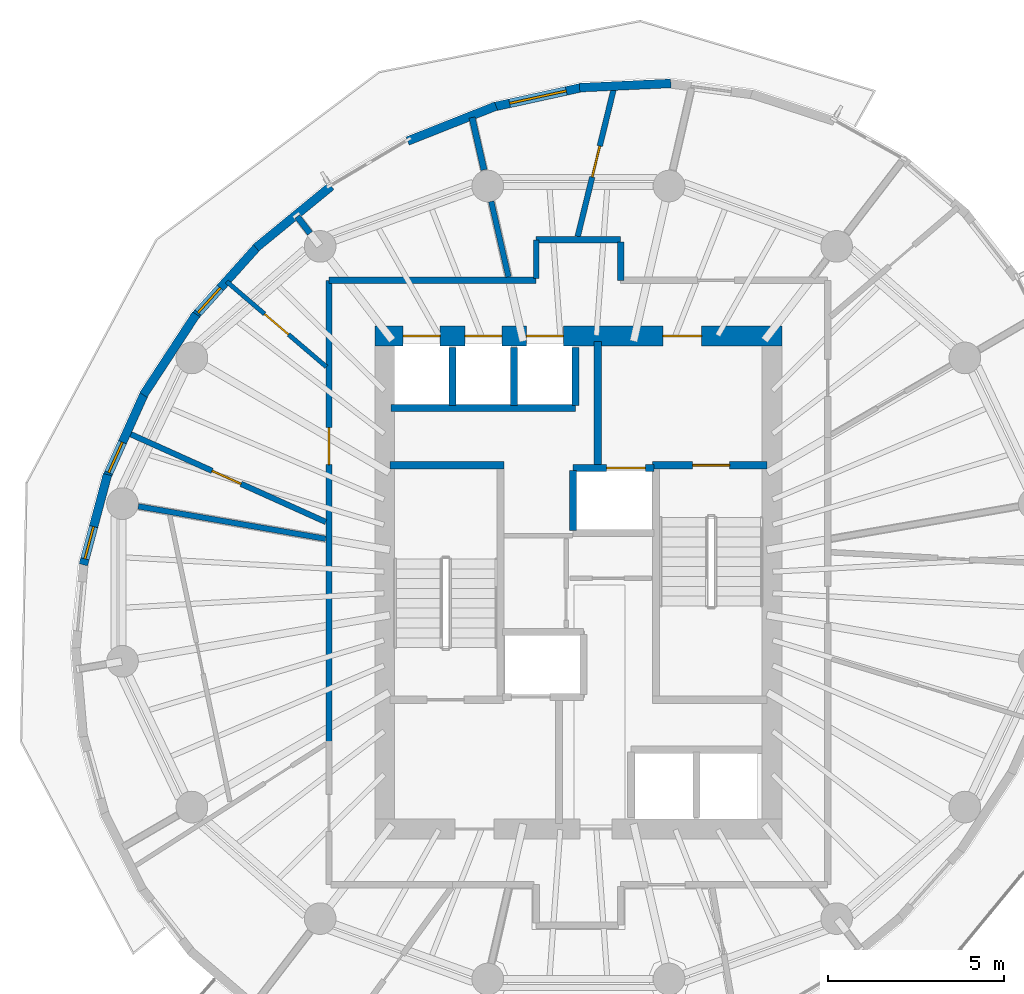
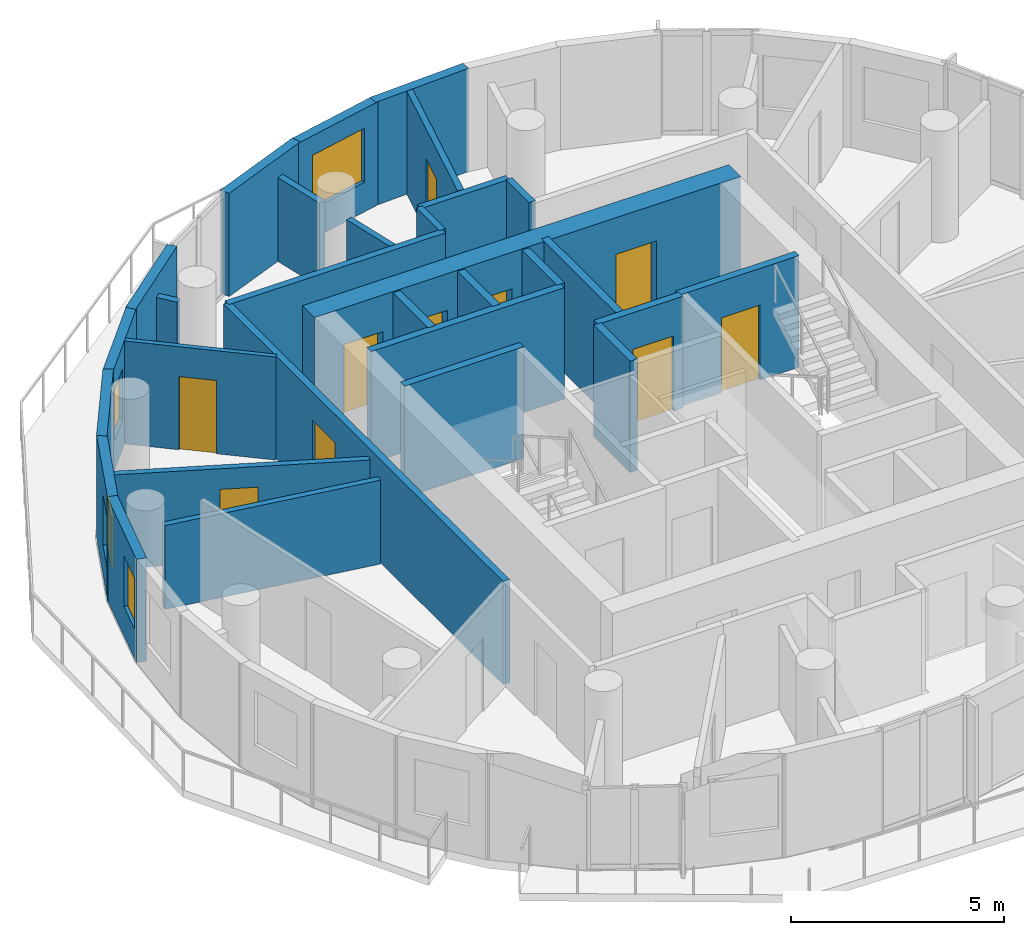
# One storey, part 6 of 10: 30 walls, 10 doors, 4 windows, 14 openings.
"""IFC4 building model written with IfcOpenShell, lengths in metres."""

from ifc_helpers import new_model, si_unit, direction, frame, frame_2d, origin, place, context, subcontext, project, spatial, rectangle, extrude, material, layer, layer_set, type_object, element, fill, save


model = new_model("IFC4")

# Units and contexts
model_context = context("Model", 3, precision=1e-05, world=origin(), true_north=direction((0.0, 1.0)))
body_context = subcontext(model_context, "Body", "Model", "MODEL_VIEW")
ifc_project = project(units=[si_unit("LENGTHUNIT", "METRE"), si_unit("AREAUNIT", "SQUARE_METRE"), si_unit("VOLUMEUNIT", "CUBIC_METRE"), si_unit("PLANEANGLEUNIT", "RADIAN"), si_unit("MASSUNIT", "GRAM", prefix="KILO")], contexts=[model_context])

# Site, building, storey
site_placement = place(None, origin())
site = spatial("IfcSite", under=ifc_project, at=site_placement, CompositionType="ELEMENT")
building_placement = place(site_placement, origin())
building = spatial("IfcBuilding", under=site, at=building_placement, Name="Veldorim Arch Residences", CompositionType="ELEMENT")
storey_placement = place(building_placement, frame((0.0, 0.0, 182.239990234375)))
storey = spatial("IfcBuildingStorey", under=building, at=storey_placement, Name="L54", CompositionType="ELEMENT", Elevation=182.239990234375)

# Wall, opening, door
ifc_material_1 = material(Name="Acoustic Gypsum Board", Category="gypsum")
ifc_layer_1 = layer(ifc_material_1, 0.125, Name="Acoustic Stud Room Partition Wall 125")
ifc_layer_set_1 = layer_set([ifc_layer_1], Name="Acoustic Gypsum Board")
wall_type_1 = type_object("IfcWallType", Name="Acoustic Stud Room Partition Wall 125", PredefinedType="PARTITIONING", material=ifc_layer_set_1)
wall_1_placement = place(storey_placement, frame((22.011962890625, 32.546630859375, 0.0), z_axis=(0.0, 0.0, 1.0), x_axis=(0.759801913408, -0.650154637284, 0.0)))
wall_1 = element("IfcWall", 1, at=wall_1_placement, inside=storey, type_object=wall_type_1, Name="L54 interior wall WL-RES-L54-028", PredefinedType="PARTITIONING", context=body_context, shape_type="SweptSolid", body=[
    extrude(rectangle(XDim=3.727294921875, YDim=0.125, at=frame_2d((1.86376953125, 0.0))), origin(), (0.0, 0.0, 1.0), 2.955078125),
])
opening_1_placement = place(wall_1_placement, frame((1.413818359375, 0.0, 0.0)))
opening_1 = element("IfcOpeningElement", 2, at=opening_1_placement, cuts=wall_1, Name="Opening DR-INT", PredefinedType="OPENING", context=body_context, shape_type="SweptSolid", body=[
    extrude(rectangle(XDim=0.89990234375, YDim=2.10009765625, at=frame_2d((0.449951171875, 1.050048828125))), frame((0.0, 0.072509765625, 0.0), z_axis=(0.0, -1.0, 0.0), x_axis=(1.0, 0.0, 0.0)), (0.0, 0.0, 1.0), 0.14501953125),
])
ifc_material_2 = material(Name="Engineered Timber", Category="wood")
door_type_1 = type_object("IfcDoorType", Name="Apartment Internal Room Timber Door 900x2100", OperationType="SINGLE_SWING_LEFT", PredefinedType="DOOR", material=ifc_material_2)
door_1_placement = place(opening_1_placement, origin())
door_1 = element("IfcDoor", 3, at=door_1_placement, inside=storey, type_object=door_type_1, Name="L54 interior door DR-RES-L54-013", OperationType="SINGLE_SWING_LEFT", OverallHeight=2.10009765625, OverallWidth=0.89990234375, PredefinedType="DOOR", context=body_context, shape_type="SweptSolid", body=[
    extrude(rectangle(XDim=0.89990234375, YDim=2.10009765625, at=frame_2d((0.449951171875, 1.050048828125))), frame((0.0, 0.02490234375, 0.0), z_axis=(0.0, -1.0, 0.0), x_axis=(1.0, 0.0, 0.0)), (0.0, 0.0, 1.0), 0.050048828125),
])
fill(opening_1, door_1)

# Walls
ifc_material_3 = material(Name="Lightweight Masonry Block & Gypsum", Category="masonry")
ifc_layer_2 = layer(ifc_material_3, 0.179931640625, Name="Compartment & Corridor Fire-Rated Party Wall 180")
ifc_layer_set_2 = layer_set([ifc_layer_2], Name="Lightweight Masonry Block & Gypsum")
wall_type_2 = type_object("IfcWallType", Name="Compartment & Corridor Fire-Rated Party Wall 180", PredefinedType="PARTITIONING", material=ifc_layer_set_2)
wall_2_placement = place(storey_placement, frame((29.320068359375, 35.717529296875, 0.0), z_axis=(0.0, 0.0, 1.0), x_axis=(-0.222976920769, 0.974823723965, 0.0)))
element("IfcWall", 4, at=wall_2_placement, inside=storey, type_object=wall_type_2, Name="L54 interior wall WL-PIER-L54-05", PredefinedType="PARTITIONING", context=body_context, shape_type="SweptSolid", body=[
    extrude(rectangle(XDim=1.525146484375, YDim=0.179931640625, at=frame_2d((0.7626953125, 0.0))), origin(), (0.0, 0.0, 1.0), 2.4033203125),
])
wall_3_placement = place(storey_placement, frame((24.380126953125, 33.91796875, 0.0), z_axis=(0.0, 0.0, 1.0), x_axis=(-0.609062571598, 0.793122174623, 0.0)))
element("IfcWall", 5, at=wall_3_placement, inside=storey, type_object=wall_type_2, Name="L54 interior wall WL-PIER-L54-06", PredefinedType="PARTITIONING", context=body_context, shape_type="SweptSolid", body=[
    extrude(rectangle(XDim=0.600830078125, YDim=0.179931640625, at=frame_2d((0.30029296875, 0.0))), origin(), (0.0, 0.0, 1.0), 2.4033203125),
])
wall_4_placement = place(storey_placement, frame((30.800048828125, 33.72998046875, 0.0), z_axis=(0.0, 0.0, 1.0), x_axis=(1.0, 0.0, 0.0)))
element("IfcWall", 6, at=wall_4_placement, inside=storey, type_object=wall_type_2, Name="L54 interior wall WL-RES-L54-009", PredefinedType="PARTITIONING", context=body_context, shape_type="SweptSolid", body=[
    extrude(rectangle(XDim=2.39990234375, YDim=0.179931640625, at=frame_2d((1.199951171875, 0.0))), origin(), (0.0, 0.0, 1.0), 2.955078125),
])
wall_5_placement = place(storey_placement, frame((33.199951171875, 33.669921875, 0.0), z_axis=(0.0, 0.0, 1.0), x_axis=(0.0, -1.0, 0.0)))
element("IfcWall", 7, at=wall_5_placement, inside=storey, type_object=wall_type_2, Name="L54 interior wall WL-RES-L54-010", PredefinedType="PARTITIONING", context=body_context, shape_type="SweptSolid", body=[
    extrude(rectangle(XDim=1.08984375, YDim=0.179931640625, at=frame_2d((0.544921875, 0.0))), origin(), (0.0, 0.0, 1.0), 2.955078125),
])
wall_6_placement = place(storey_placement, frame((24.919921875, 32.580078125, 0.0), z_axis=(0.0, 0.0, 1.0), x_axis=(1.0, 0.0, 0.0)))
element("IfcWall", 8, at=wall_6_placement, inside=storey, type_object=wall_type_2, Name="L54 interior wall WL-RES-L54-011", PredefinedType="PARTITIONING", context=body_context, shape_type="SweptSolid", body=[
    extrude(rectangle(XDim=5.880126953125, YDim=0.179931640625, at=frame_2d((2.93994140625, 0.0))), origin(), (0.0, 0.0, 1.0), 2.955078125),
])

# Wall, opening, door
wall_7_placement = place(storey_placement, frame((24.919921875, 19.44921875, 0.0), z_axis=(0.0, 0.0, 1.0), x_axis=(0.0, 1.0, 0.0)))
wall_7 = element("IfcWall", 9, at=wall_7_placement, inside=storey, type_object=wall_type_2, Name="L54 interior wall WL-RES-L54-013", PredefinedType="PARTITIONING", context=body_context, shape_type="SweptSolid", body=[
    extrude(rectangle(XDim=13.130859375, YDim=0.179931640625, at=frame_2d((6.5654296875, 0.0))), origin(), (0.0, 0.0, 1.0), 2.955078125),
])
opening_2_placement = place(wall_7_placement, frame((7.896728515625, 0.0, 0.0)))
opening_2 = element("IfcOpeningElement", 10, at=opening_2_placement, cuts=wall_7, Name="Opening DR-FLT", PredefinedType="OPENING", context=body_context, shape_type="SweptSolid", body=[
    extrude(rectangle(XDim=1.050048828125, YDim=2.14990234375, at=frame_2d((0.52490234375, 1.074951171875))), frame((0.0, 0.099853515625, 0.0), z_axis=(0.0, -1.0, 0.0), x_axis=(1.0, 0.0, 0.0)), (0.0, 0.0, 1.0), 0.199951171875),
])
ifc_material_4 = material(Name="Fire-Rated Timber", Category="wood")
door_type_2 = type_object("IfcDoorType", Name="Apartment Entrance Solid-Core Fire Door 1050x2150", OperationType="SINGLE_SWING_LEFT", PredefinedType="DOOR", material=ifc_material_4)
door_2_placement = place(opening_2_placement, origin())
door_2 = element("IfcDoor", 11, at=door_2_placement, inside=storey, type_object=door_type_2, Name="L54 interior door DR-RES-L54-011", OperationType="SINGLE_SWING_LEFT", OverallHeight=2.14990234375, OverallWidth=1.050048828125, PredefinedType="DOOR", context=body_context, shape_type="SweptSolid", body=[
    extrude(rectangle(XDim=1.050048828125, YDim=2.14990234375, at=frame_2d((0.52490234375, 1.074951171875))), frame((0.0, 0.02490234375, 0.0), z_axis=(0.0, -1.0, 0.0), x_axis=(1.0, 0.0, 0.0)), (0.0, 0.0, 1.0), 0.050048828125),
])
fill(opening_2, door_2)

# Wall
ifc_material_5 = material(Name="Concrete C50/60", Category="concrete")
ifc_layer_3 = layer(ifc_material_5, 0.199951171875, Name="Core Stair & Lift Shaft Enclosure Wall 200")
ifc_layer_set_3 = layer_set([ifc_layer_3], Name="Concrete C50/60")
wall_type_3 = type_object("IfcWallType", Name="Core Stair & Lift Shaft Enclosure Wall 200", PredefinedType="SHEAR", material=ifc_layer_set_3)
wall_8_placement = place(storey_placement, frame((26.64990234375, 27.330078125, 0.0), z_axis=(0.0, 0.0, 1.0), x_axis=(1.0, 0.0, 0.0)))
element("IfcWall", 12, at=wall_8_placement, inside=storey, type_object=wall_type_3, Name="L54 shaft wall WL-SHF-L54-ST1-N", PredefinedType="SHEAR", context=body_context, shape_type="SweptSolid", body=[
    extrude(rectangle(XDim=3.239990234375, YDim=0.199951171875, at=frame_2d((1.6201171875, 0.0))), origin(), (0.0, 0.0, 1.0), 3.199951171875),
])

# Wall, opening, door
wall_9_placement = place(storey_placement, frame((34.110107421875, 27.330078125, 0.0), z_axis=(0.0, 0.0, 1.0), x_axis=(1.0, 0.0, 0.0)))
wall_9 = element("IfcWall", 13, at=wall_9_placement, inside=storey, type_object=wall_type_3, Name="L54 shaft wall WL-SHF-L54-ST2-N", PredefinedType="SHEAR", context=body_context, shape_type="SweptSolid", body=[
    extrude(rectangle(XDim=3.239990234375, YDim=0.199951171875, at=frame_2d((1.6201171875, 0.0))), origin(), (0.0, 0.0, 1.0), 3.199951171875),
])
opening_3_placement = place(wall_9_placement, frame((1.135009765625, 0.0, 0.0)))
opening_3 = element("IfcOpeningElement", 14, at=opening_3_placement, cuts=wall_9, Name="Opening DR-ST", PredefinedType="OPENING", context=body_context, shape_type="SweptSolid", body=[
    extrude(rectangle(XDim=1.050048828125, YDim=2.14990234375, at=frame_2d((0.52490234375, 1.074951171875))), frame((0.0, 0.10986328125, 0.0), z_axis=(0.0, -1.0, 0.0), x_axis=(1.0, 0.0, 0.0)), (0.0, 0.0, 1.0), 0.219970703125),
])
ifc_material_6 = material(Name="Fire-Rated Steel", Category="steel")
door_type_3 = type_object("IfcDoorType", Name="Exit Staircase Self-Closing Fire Door 1050x2150", OperationType="SINGLE_SWING_LEFT", PredefinedType="DOOR", material=ifc_material_6)
door_3_placement = place(opening_3_placement, origin())
door_3 = element("IfcDoor", 15, at=door_3_placement, inside=storey, type_object=door_type_3, Name="L54 interior door DR-L54-ST2", OperationType="SINGLE_SWING_RIGHT", OverallHeight=2.14990234375, OverallWidth=1.050048828125, PredefinedType="DOOR", context=body_context, shape_type="SweptSolid", body=[
    extrude(rectangle(XDim=1.050048828125, YDim=2.14990234375, at=frame_2d((0.52490234375, 1.074951171875))), frame((0.0, 0.02490234375, 0.0), z_axis=(0.0, -1.0, 0.0), x_axis=(1.0, 0.0, 0.0)), (0.0, 0.0, 1.0), 0.050048828125),
])
fill(opening_3, door_3)

# Wall
wall_10_placement = place(storey_placement, frame((32.550048828125, 27.35009765625, 0.0), z_axis=(0.0, 0.0, 1.0), x_axis=(0.0, 1.0, 0.0)))
element("IfcWall", 16, at=wall_10_placement, inside=storey, type_object=wall_type_3, Name="L54 shaft wall WL-FFL2-L54-W", PredefinedType="SHEAR", context=body_context, shape_type="SweptSolid", body=[
    extrude(rectangle(XDim=3.5, YDim=0.199951171875, at=frame_2d((1.75, 0.0))), origin(), (0.0, 0.0, 1.0), 3.199951171875),
])

# Wall, opening, door
wall_11_placement = place(storey_placement, frame((31.85009765625, 27.25, 0.0), z_axis=(0.0, 0.0, 1.0), x_axis=(1.0, 0.0, 0.0)))
wall_11 = element("IfcWall", 17, at=wall_11_placement, inside=storey, type_object=wall_type_3, Name="L54 shaft wall WL-FL02-L54-N", PredefinedType="SHEAR", context=body_context, shape_type="SweptSolid", body=[
    extrude(rectangle(XDim=2.2998046875, YDim=0.199951171875, at=frame_2d((1.14990234375, 0.0))), origin(), (0.0, 0.0, 1.0), 3.199951171875),
])
opening_4_placement = place(wall_11_placement, frame((0.949951171875, 0.0, 0.0)))
opening_4 = element("IfcOpeningElement", 18, at=opening_4_placement, cuts=wall_11, Name="Opening LD-FF", PredefinedType="OPENING", context=body_context, shape_type="SweptSolid", body=[
    extrude(rectangle(XDim=1.10009765625, YDim=2.14990234375, at=frame_2d((0.550048828125, 1.074951171875))), frame((0.0, 0.10986328125, 0.0), z_axis=(0.0, -1.0, 0.0), x_axis=(1.0, 0.0, 0.0)), (0.0, 0.0, 1.0), 0.219970703125),
])
ifc_material_7 = material(Name="Stainless Steel", Category="steel")
door_type_4 = type_object("IfcDoorType", Name="Firefighting Lift Bi-Parting Sliding Landing Door 1100x2150", OperationType="DOUBLE_DOOR_SLIDING", PredefinedType="DOOR", material=ifc_material_7)
door_4_placement = place(opening_4_placement, origin())
door_4 = element("IfcDoor", 19, at=door_4_placement, inside=storey, type_object=door_type_4, Name="L54 lift landing door LD-L54-FL02", OperationType="DOUBLE_DOOR_SLIDING", OverallHeight=2.14990234375, OverallWidth=1.10009765625, PredefinedType="DOOR", context=body_context, shape_type="SweptSolid", body=[
    extrude(rectangle(XDim=1.10009765625, YDim=2.14990234375, at=frame_2d((0.550048828125, 1.074951171875))), frame((0.0, 0.02490234375, 0.0), z_axis=(0.0, -1.0, 0.0), x_axis=(1.0, 0.0, 0.0)), (0.0, 0.0, 1.0), 0.050048828125),
])
fill(opening_4, door_4)

# Walls
wall_12_placement = place(storey_placement, frame((31.85009765625, 25.469970703125, 0.0), z_axis=(0.0, 0.0, 1.0), x_axis=(0.0, 1.0, 0.0)))
element("IfcWall", 20, at=wall_12_placement, inside=storey, type_object=wall_type_3, Name="L54 shaft wall WL-FL02-L54-W", PredefinedType="SHEAR", context=body_context, shape_type="SweptSolid", body=[
    extrude(rectangle(XDim=1.7099609375, YDim=0.199951171875, at=frame_2d((0.85498046875, 0.0))), origin(), (0.0, 0.0, 1.0), 3.199951171875),
])
wall_13_placement = place(storey_placement, frame((26.679931640625, 28.949951171875, 0.0), z_axis=(0.0, 0.0, 1.0), x_axis=(1.0, 0.0, 0.0)))
element("IfcWall", 21, at=wall_13_placement, inside=storey, type_object=wall_type_3, Name="L54 shaft wall WL-B3-L54-S", PredefinedType="SHEAR", context=body_context, shape_type="SweptSolid", body=[
    extrude(rectangle(XDim=5.239990234375, YDim=0.199951171875, at=frame_2d((2.6201171875, 0.0))), origin(), (0.0, 0.0, 1.0), 3.199951171875),
])
for number, where, z_axis, x_axis, name in (
    (22, (31.919921875, 29.02001953125, 0.0), (0.0, 0.0, 1.0), (0.0, 1.0, 0.0), "L54 shaft wall WL-B3-L54-E"),
    (23, (28.425048828125, 29.02001953125, 0.0), (0.0, 0.0, 1.0), (0.0, 1.0, 0.0), "L54 shaft wall WL-B3-L54-D1"),
    (24, (30.175048828125, 29.02001953125, 0.0), (0.0, 0.0, 1.0), (0.0, 1.0, 0.0), "L54 shaft wall WL-B3-L54-D2"),
):
    element("IfcWall", number, at=place(storey_placement, frame(where, z_axis=z_axis, x_axis=x_axis)), inside=storey, type_object=wall_type_3, Name=name, PredefinedType="SHEAR", context=body_context, shape_type="SweptSolid", body=[
        extrude(rectangle(XDim=1.659912109375, YDim=0.199951171875, at=frame_2d((0.830078125, 0.0))), origin(), (0.0, 0.0, 1.0), 3.199951171875),
    ])
ifc_material_8 = material(Name="Precast concrete C40/50", Category="concrete")
ifc_layer_4 = layer(ifc_material_8, 0.25, Name="Tower Terracotta Spandrel & Pier Wall 250")
ifc_layer_set_4 = layer_set([ifc_layer_4], Name="Precast concrete C40/50")
wall_type_4 = type_object("IfcWallType", Name="Tower Terracotta Spandrel & Pier Wall 250", PredefinedType="SOLIDWALL", material=ifc_layer_set_4)
wall_14_placement = place(storey_placement, frame((32.03564453125, 38.053466796875, 0.0), z_axis=(0.0, 0.0, 1.0), x_axis=(0.998912652492, 0.046620946915, 0.0)))
element("IfcWall", 25, at=wall_14_placement, inside=storey, type_object=wall_type_4, Name="L54 terracotta facade wall 05", PredefinedType="SOLIDWALL", context=body_context, shape_type="SweptSolid", body=[
    extrude(rectangle(XDim=2.59228515625, YDim=0.25, at=frame_2d((1.296142578125, 0.0))), origin(), (0.0, 0.0, 1.0), 2.9599609375),
])

# Wall, opening, window
wall_15_placement = place(storey_placement, frame((29.555908203125, 37.501220703125, 0.0), z_axis=(0.0, 0.0, 1.0), x_axis=(0.976886196324, 0.213760051067, 0.0)))
wall_15 = element("IfcWall", 26, at=wall_15_placement, inside=storey, type_object=wall_type_4, Name="L54 terracotta facade wall 06", PredefinedType="SOLIDWALL", context=body_context, shape_type="SweptSolid", body=[
    extrude(rectangle(XDim=2.65087890625, YDim=0.25, at=frame_2d((1.325439453125, 0.0))), origin(), (0.0, 0.0, 1.0), 2.9599609375),
])
opening_5_placement = place(wall_15_placement, frame((0.5009765625, 0.0, 0.85009765625)))
opening_5 = element("IfcOpeningElement", 27, at=opening_5_placement, cuts=wall_15, Name="Opening WN-03", PredefinedType="OPENING", context=body_context, shape_type="SweptSolid", body=[
    extrude(rectangle(XDim=1.64990234375, YDim=1.550048828125, at=frame_2d((0.824951171875, 0.77490234375))), frame((0.0, 0.135009765625, 0.0), z_axis=(0.0, -1.0, 0.0), x_axis=(1.0, 0.0, 0.0)), (0.0, 0.0, 1.0), 0.27001953125),
])
ifc_material_9 = material(Name="Laminated Low-E Glass", Category="glass")
window_type_1 = type_object("IfcWindowType", Name="Residential Wide Window 1650x1550", PartitioningType="SINGLE_PANEL", PredefinedType="WINDOW", material=ifc_material_9)
window_1_placement = place(opening_5_placement, origin())
window_1 = element("IfcWindow", 28, at=window_1_placement, inside=storey, type_object=window_type_1, Name="L54 solar-control facade window 06", OverallHeight=1.550048828125, OverallWidth=1.64990234375, PartitioningType="SINGLE_PANEL", PredefinedType="WINDOW", context=body_context, shape_type="SweptSolid", body=[
    extrude(rectangle(XDim=1.64990234375, YDim=1.550048828125, at=frame_2d((0.824951171875, 0.77490234375))), frame((0.0, 0.030029296875, 0.0), z_axis=(0.0, -1.0, 0.0), x_axis=(1.0, 0.0, 0.0)), (0.0, 0.0, 1.0), 0.06005859375),
])
fill(opening_5, window_1)

# Walls
wall_16_placement = place(storey_placement, frame((27.149169921875, 36.5380859375, 0.0), z_axis=(0.0, 0.0, 1.0), x_axis=(0.929693178164, 0.368334894459, 0.0)))
element("IfcWall", 29, at=wall_16_placement, inside=storey, type_object=wall_type_4, Name="L54 terracotta facade wall 07", PredefinedType="SOLIDWALL", context=body_context, shape_type="SweptSolid", body=[
    extrude(rectangle(XDim=2.70166015625, YDim=0.25, at=frame_2d((1.350830078125, 0.0))), origin(), (0.0, 0.0, 1.0), 2.9599609375),
])
wall_17_placement = place(storey_placement, frame((22.84521484375, 33.5078125, 0.0), z_axis=(0.0, 0.0, 1.0), x_axis=(0.773491700486, 0.633806428872, 0.0)))
element("IfcWall", 30, at=wall_17_placement, inside=storey, type_object=wall_type_4, Name="L54 terracotta facade wall 09", PredefinedType="SOLIDWALL", context=body_context, shape_type="SweptSolid", body=[
    extrude(rectangle(XDim=2.758056640625, YDim=0.25, at=frame_2d((1.37890625, 0.0))), origin(), (0.0, 0.0, 1.0), 2.9599609375),
])

# Wall, opening, window
wall_18_placement = place(storey_placement, frame((21.079345703125, 31.532470703125, 0.0), z_axis=(0.0, 0.0, 1.0), x_axis=(0.668764193685, 0.743474581438, 0.0)))
wall_18 = element("IfcWall", 31, at=wall_18_placement, inside=storey, type_object=wall_type_4, Name="L54 terracotta facade wall 10", PredefinedType="SOLIDWALL", context=body_context, shape_type="SweptSolid", body=[
    extrude(rectangle(XDim=2.758056640625, YDim=0.25, at=frame_2d((1.37890625, 0.0))), origin(), (0.0, 0.0, 1.0), 2.9599609375),
])
opening_6_placement = place(wall_18_placement, frame((0.175048828125, 0.0, 0.85009765625)))
opening_6 = element("IfcOpeningElement", 32, at=opening_6_placement, cuts=wall_18, Name="Opening WN-05", PredefinedType="OPENING", context=body_context, shape_type="SweptSolid", body=[
    extrude(rectangle(XDim=0.949951171875, YDim=1.449951171875, at=frame_2d((0.47509765625, 0.72509765625))), frame((0.0, 0.135009765625, 0.0), z_axis=(0.0, -1.0, 0.0), x_axis=(1.0, 0.0, 0.0)), (0.0, 0.0, 1.0), 0.27001953125),
])
ifc_material_10 = material(Name="Laminated Low-E Glass", Category="glass")
window_type_2 = type_object("IfcWindowType", Name="Residential Compact Casement Window 950x1450", PartitioningType="SINGLE_PANEL", PredefinedType="WINDOW", material=ifc_material_10)
window_2_placement = place(opening_6_placement, origin())
window_2 = element("IfcWindow", 33, at=window_2_placement, inside=storey, type_object=window_type_2, Name="L54 solar-control facade window 10", OverallHeight=1.449951171875, OverallWidth=0.949951171875, PartitioningType="SINGLE_PANEL", PredefinedType="WINDOW", context=body_context, shape_type="SweptSolid", body=[
    extrude(rectangle(XDim=0.949951171875, YDim=1.449951171875, at=frame_2d((0.47509765625, 0.72509765625))), frame((0.0, 0.030029296875, 0.0), z_axis=(0.0, -1.0, 0.0), x_axis=(1.0, 0.0, 0.0)), (0.0, 0.0, 1.0), 0.06005859375),
])
fill(opening_6, window_2)

# Wall
wall_19_placement = place(storey_placement, frame((19.64599609375, 29.327392578125, 0.0), z_axis=(0.0, 0.0, 1.0), x_axis=(0.547664848596, 0.83669780304, 0.0)))
element("IfcWall", 34, at=wall_19_placement, inside=storey, type_object=wall_type_4, Name="L54 terracotta facade wall 11", PredefinedType="SOLIDWALL", context=body_context, shape_type="SweptSolid", body=[
    extrude(rectangle(XDim=2.738525390625, YDim=0.25, at=frame_2d((1.369140625, 0.0))), origin(), (0.0, 0.0, 1.0), 2.9599609375),
])

# Wall, opening, window
wall_20_placement = place(storey_placement, frame((18.589111328125, 26.9599609375, 0.0), z_axis=(0.0, 0.0, 1.0), x_axis=(0.410736648959, 0.911754026699, 0.0)))
wall_20 = element("IfcWall", 35, at=wall_20_placement, inside=storey, type_object=wall_type_4, Name="L54 terracotta facade wall 12", PredefinedType="SOLIDWALL", context=body_context, shape_type="SweptSolid", body=[
    extrude(rectangle(XDim=2.701416015625, YDim=0.25, at=frame_2d((1.3505859375, 0.0))), origin(), (0.0, 0.0, 1.0), 2.9599609375),
])
opening_7_placement = place(wall_20_placement, frame((0.175048828125, 0.0, 0.85009765625)))
opening_7 = element("IfcOpeningElement", 36, at=opening_7_placement, cuts=wall_20, Name="Opening WN-05", PredefinedType="OPENING", context=body_context, shape_type="SweptSolid", body=[
    extrude(rectangle(XDim=0.949951171875, YDim=1.449951171875, at=frame_2d((0.47509765625, 0.72509765625))), frame((0.0, 0.135009765625, 0.0), z_axis=(0.0, -1.0, 0.0), x_axis=(1.0, 0.0, 0.0)), (0.0, 0.0, 1.0), 0.27001953125),
])
window_3_placement = place(opening_7_placement, origin())
window_3 = element("IfcWindow", 37, at=window_3_placement, inside=storey, type_object=window_type_2, Name="L54 solar-control facade window 12", OverallHeight=1.449951171875, OverallWidth=0.949951171875, PartitioningType="SINGLE_PANEL", PredefinedType="WINDOW", context=body_context, shape_type="SweptSolid", body=[
    extrude(rectangle(XDim=0.949951171875, YDim=1.449951171875, at=frame_2d((0.47509765625, 0.72509765625))), frame((0.0, 0.030029296875, 0.0), z_axis=(0.0, -1.0, 0.0), x_axis=(1.0, 0.0, 0.0)), (0.0, 0.0, 1.0), 0.06005859375),
])
fill(opening_7, window_3)

wall_21_placement = place(storey_placement, frame((17.940185546875, 24.502685546875, 0.0), z_axis=(0.0, 0.0, 1.0), x_axis=(0.258688517816, 0.965960791518, 0.0)))
wall_21 = element("IfcWall", 38, at=wall_21_placement, inside=storey, type_object=wall_type_4, Name="L54 terracotta facade wall 13", PredefinedType="SOLIDWALL", context=body_context, shape_type="SweptSolid", body=[
    extrude(rectangle(XDim=2.651123046875, YDim=0.25, at=frame_2d((1.32568359375, 0.0))), origin(), (0.0, 0.0, 1.0), 2.9599609375),
])
opening_8_placement = place(wall_21_placement, frame((0.175048828125, 0.0, 0.85009765625)))
opening_8 = element("IfcOpeningElement", 39, at=opening_8_placement, cuts=wall_21, Name="Opening WN-05", PredefinedType="OPENING", context=body_context, shape_type="SweptSolid", body=[
    extrude(rectangle(XDim=0.949951171875, YDim=1.449951171875, at=frame_2d((0.47509765625, 0.72509765625))), frame((0.0, 0.135009765625, 0.0), z_axis=(0.0, -1.0, 0.0), x_axis=(1.0, 0.0, 0.0)), (0.0, 0.0, 1.0), 0.27001953125),
])
window_4_placement = place(opening_8_placement, origin())
window_4 = element("IfcWindow", 40, at=window_4_placement, inside=storey, type_object=window_type_2, Name="L54 solar-control facade window 13", OverallHeight=1.449951171875, OverallWidth=0.949951171875, PartitioningType="SINGLE_PANEL", PredefinedType="WINDOW", context=body_context, shape_type="SweptSolid", body=[
    extrude(rectangle(XDim=0.949951171875, YDim=1.449951171875, at=frame_2d((0.47509765625, 0.72509765625))), frame((0.0, 0.030029296875, 0.0), z_axis=(0.0, -1.0, 0.0), x_axis=(1.0, 0.0, 0.0)), (0.0, 0.0, 1.0), 0.06005859375),
])
fill(opening_8, window_4)

# Wall, openings, doors
ifc_material_11 = material(Name="Concrete C50/60", Category="concrete")
ifc_layer_5 = layer(ifc_material_11, 0.5, Name="Upper Central Core Shear Wall 560")
ifc_layer_set_5 = layer_set([ifc_layer_5], Name="Concrete C50/60")
wall_type_5 = type_object("IfcWallType", Name="Upper Central Core Shear Wall 560", PredefinedType="SHEAR", material=ifc_layer_set_5)
wall_22_placement = place(storey_placement, frame((26.219970703125, 31.0, 0.0), z_axis=(0.0, 0.0, 1.0), x_axis=(1.0, 0.0, 0.0)))
wall_22 = element("IfcWall", 41, at=wall_22_placement, inside=storey, type_object=wall_type_5, Name="L54 central core north shear wall", PredefinedType="SHEAR", context=body_context, shape_type="SweptSolid", body=[
    extrude(rectangle(XDim=11.56005859375, YDim=0.56005859375, at=frame_2d((5.780029296875, 0.0))), origin(), (0.0, 0.0, 1.0), 3.199951171875),
])
opening_9_placement = place(wall_22_placement, frame((8.179931640625, 0.0, 0.0)))
opening_9 = element("IfcOpeningElement", 42, at=opening_9_placement, cuts=wall_22, Name="Opening DR-FFL", PredefinedType="OPENING", context=body_context, shape_type="SweptSolid", body=[
    extrude(rectangle(XDim=1.10009765625, YDim=2.14990234375, at=frame_2d((0.550048828125, 1.074951171875))), frame((0.0, 0.2900390625, 0.0), z_axis=(0.0, -1.0, 0.0), x_axis=(1.0, 0.0, 0.0)), (0.0, 0.0, 1.0), 0.580078125),
])
opening_10_placement = place(wall_22_placement, frame((0.804931640625, 0.0, 0.0)))
opening_10 = element("IfcOpeningElement", 43, at=opening_10_placement, cuts=wall_22, Name="Opening LD-PS", PredefinedType="OPENING", context=body_context, shape_type="SweptSolid", body=[
    extrude(rectangle(XDim=1.050048828125, YDim=2.14990234375, at=frame_2d((0.52490234375, 1.074951171875))), frame((0.0, 0.2900390625, 0.0), z_axis=(0.0, -1.0, 0.0), x_axis=(1.0, 0.0, 0.0)), (0.0, 0.0, 1.0), 0.580078125),
])
opening_11_placement = place(wall_22_placement, frame((2.554931640625, 0.0, 0.0)))
opening_11 = element("IfcOpeningElement", 44, at=opening_11_placement, cuts=wall_22, Name="Opening LD-PS", PredefinedType="OPENING", context=body_context, shape_type="SweptSolid", body=[
    extrude(rectangle(XDim=1.050048828125, YDim=2.14990234375, at=frame_2d((0.52490234375, 1.074951171875))), frame((0.0, 0.2900390625, 0.0), z_axis=(0.0, -1.0, 0.0), x_axis=(1.0, 0.0, 0.0)), (0.0, 0.0, 1.0), 0.580078125),
])
opening_12_placement = place(wall_22_placement, frame((4.304931640625, 0.0, 0.0)))
opening_12 = element("IfcOpeningElement", 45, at=opening_12_placement, cuts=wall_22, Name="Opening LD-PS", PredefinedType="OPENING", context=body_context, shape_type="SweptSolid", body=[
    extrude(rectangle(XDim=1.050048828125, YDim=2.14990234375, at=frame_2d((0.52490234375, 1.074951171875))), frame((0.0, 0.2900390625, 0.0), z_axis=(0.0, -1.0, 0.0), x_axis=(1.0, 0.0, 0.0)), (0.0, 0.0, 1.0), 0.580078125),
])
ifc_material_12 = material(Name="Fire-Rated Steel & Vision Glass", Category="steel")
door_type_5 = type_object("IfcDoorType", Name="Firefighting Lobby Smoke-Stop Fire Door 1100x2150", OperationType="SINGLE_SWING_LEFT", PredefinedType="DOOR", material=ifc_material_12)
door_5_placement = place(opening_9_placement, origin())
door_5 = element("IfcDoor", 46, at=door_5_placement, inside=storey, type_object=door_type_5, Name="L54 interior door DR-L54-FFL2", OperationType="SINGLE_SWING_LEFT", OverallHeight=2.14990234375, OverallWidth=1.10009765625, PredefinedType="DOOR", context=body_context, shape_type="SweptSolid", body=[
    extrude(rectangle(XDim=1.10009765625, YDim=2.14990234375, at=frame_2d((0.550048828125, 1.074951171875))), frame((0.0, 0.02490234375, 0.0), z_axis=(0.0, -1.0, 0.0), x_axis=(1.0, 0.0, 0.0)), (0.0, 0.0, 1.0), 0.050048828125),
])
fill(opening_9, door_5)
ifc_material_13 = material(Name="Stainless Steel", Category="steel")
door_type_6 = type_object("IfcDoorType", Name="Passenger Lift Bi-Parting Sliding Landing Door 1050x2150", OperationType="DOUBLE_DOOR_SLIDING", PredefinedType="DOOR", material=ifc_material_13)
door_6_placement = place(opening_10_placement, origin())
door_6 = element("IfcDoor", 47, at=door_6_placement, inside=storey, type_object=door_type_6, Name="L54 lift landing door LD-L54-PL-08", OperationType="DOUBLE_DOOR_SLIDING", OverallHeight=2.14990234375, OverallWidth=1.050048828125, PredefinedType="DOOR", context=body_context, shape_type="SweptSolid", body=[
    extrude(rectangle(XDim=1.050048828125, YDim=2.14990234375, at=frame_2d((0.52490234375, 1.074951171875))), frame((0.0, 0.02490234375, 0.0), z_axis=(0.0, -1.0, 0.0), x_axis=(1.0, 0.0, 0.0)), (0.0, 0.0, 1.0), 0.050048828125),
])
fill(opening_10, door_6)
door_7_placement = place(opening_11_placement, origin())
door_7 = element("IfcDoor", 48, at=door_7_placement, inside=storey, type_object=door_type_6, Name="L54 lift landing door LD-L54-PL-09", OperationType="DOUBLE_DOOR_SLIDING", OverallHeight=2.14990234375, OverallWidth=1.050048828125, PredefinedType="DOOR", context=body_context, shape_type="SweptSolid", body=[
    extrude(rectangle(XDim=1.050048828125, YDim=2.14990234375, at=frame_2d((0.52490234375, 1.074951171875))), frame((0.0, 0.02490234375, 0.0), z_axis=(0.0, -1.0, 0.0), x_axis=(1.0, 0.0, 0.0)), (0.0, 0.0, 1.0), 0.050048828125),
])
fill(opening_11, door_7)
door_8_placement = place(opening_12_placement, origin())
door_8 = element("IfcDoor", 49, at=door_8_placement, inside=storey, type_object=door_type_6, Name="L54 lift landing door LD-L54-PL-10", OperationType="DOUBLE_DOOR_SLIDING", OverallHeight=2.14990234375, OverallWidth=1.050048828125, PredefinedType="DOOR", context=body_context, shape_type="SweptSolid", body=[
    extrude(rectangle(XDim=1.050048828125, YDim=2.14990234375, at=frame_2d((0.52490234375, 1.074951171875))), frame((0.0, 0.02490234375, 0.0), z_axis=(0.0, -1.0, 0.0), x_axis=(1.0, 0.0, 0.0)), (0.0, 0.0, 1.0), 0.050048828125),
])
fill(opening_12, door_8)

# Wall
ifc_material_14 = material(Name="Moisture-Resistant Gypsum & Stud", Category="gypsum")
ifc_layer_6 = layer(ifc_material_14, 0.159912109375, Name="Wet-Area Moisture-Resistant Plumbing Wall 160")
ifc_layer_set_6 = layer_set([ifc_layer_6], Name="Moisture-Resistant Gypsum & Stud")
wall_type_6 = type_object("IfcWallType", Name="Wet-Area Moisture-Resistant Plumbing Wall 160", PredefinedType="PLUMBINGWALL", material=ifc_layer_set_6)
wall_23_placement = place(storey_placement, frame((30.800048828125, 32.639892578125, 0.0), z_axis=(0.0, 0.0, 1.0), x_axis=(0.0, 1.0, 0.0)))
element("IfcWall", 50, at=wall_23_placement, inside=storey, type_object=wall_type_6, Name="L54 interior wall WL-RES-L54-012", PredefinedType="PLUMBINGWALL", context=body_context, shape_type="SweptSolid", body=[
    extrude(rectangle(XDim=1.090087890625, YDim=0.159912109375, at=frame_2d((0.544921875, 0.0))), origin(), (0.0, 0.0, 1.0), 2.955078125),
])

# Wall, opening, door
wall_24_placement = place(storey_placement, frame((31.981201171875, 33.8271484375, 0.0), z_axis=(0.0, 0.0, 1.0), x_axis=(0.237157525666, 0.971471208024, 0.0)))
wall_24 = element("IfcWall", 51, at=wall_24_placement, inside=storey, type_object=wall_type_6, Name="L54 interior wall WL-RES-L54-025", PredefinedType="PLUMBINGWALL", context=body_context, shape_type="SweptSolid", body=[
    extrude(rectangle(XDim=4.38232421875, YDim=0.159912109375, at=frame_2d((2.191162109375, 0.0))), origin(), (0.0, 0.0, 1.0), 2.955078125),
])
opening_13_placement = place(wall_24_placement, frame((1.7412109375, 0.0, 0.0)))
opening_13 = element("IfcOpeningElement", 52, at=opening_13_placement, cuts=wall_24, Name="Opening DR-WC", PredefinedType="OPENING", context=body_context, shape_type="SweptSolid", body=[
    extrude(rectangle(XDim=0.89990234375, YDim=2.10009765625, at=frame_2d((0.449951171875, 1.050048828125))), frame((0.0, 0.08984375, 0.0), z_axis=(0.0, -1.0, 0.0), x_axis=(1.0, 0.0, 0.0)), (0.0, 0.0, 1.0), 0.179931640625),
])
ifc_material_15 = material(Name="Laminate Timber", Category="wood")
door_type_7 = type_object("IfcDoorType", Name="Bathroom & Accessible WC Moisture-Sealed Door 900x2100", OperationType="SINGLE_SWING_LEFT", PredefinedType="DOOR", material=ifc_material_15)
door_9_placement = place(opening_13_placement, origin())
door_9 = element("IfcDoor", 53, at=door_9_placement, inside=storey, type_object=door_type_7, Name="L54 interior door DR-RES-L54-010", OperationType="SINGLE_SWING_RIGHT", OverallHeight=2.10009765625, OverallWidth=0.89990234375, PredefinedType="DOOR", context=body_context, shape_type="SweptSolid", body=[
    extrude(rectangle(XDim=0.89990234375, YDim=2.10009765625, at=frame_2d((0.449951171875, 1.050048828125))), frame((0.0, 0.02490234375, 0.0), z_axis=(0.0, -1.0, 0.0), x_axis=(1.0, 0.0, 0.0)), (0.0, 0.0, 1.0), 0.050048828125),
])
fill(opening_13, door_9)

# Wall
wall_25_placement = place(storey_placement, frame((30.015380859375, 32.677490234375, 0.0), z_axis=(0.0, 0.0, 1.0), x_axis=(-0.222969522248, 0.974825416241, 0.0)))
element("IfcWall", 54, at=wall_25_placement, inside=storey, type_object=wall_type_6, Name="L54 interior wall WL-RES-L54-026", PredefinedType="PLUMBINGWALL", context=body_context, shape_type="SweptSolid", body=[
    extrude(rectangle(XDim=2.19873046875, YDim=0.159912109375, at=frame_2d((1.099365234375, 0.0))), origin(), (0.0, 0.0, 1.0), 2.4033203125),
])

# Wall, opening, door
wall_26_placement = place(storey_placement, frame((24.828857421875, 25.71826171875, 0.0), z_axis=(0.0, 0.0, 1.0), x_axis=(-0.912008646932, 0.410170974012, 0.0)))
wall_26 = element("IfcWall", 55, at=wall_26_placement, inside=storey, type_object=wall_type_6, Name="L54 interior wall WL-RES-L54-027", PredefinedType="PLUMBINGWALL", context=body_context, shape_type="SweptSolid", body=[
    extrude(rectangle(XDim=6.184326171875, YDim=0.159912109375, at=frame_2d((3.09228515625, 0.0))), origin(), (0.0, 0.0, 1.0), 2.69189453125),
])
opening_14_placement = place(wall_26_placement, frame((2.64208984375, 0.0, 0.0)))
opening_14 = element("IfcOpeningElement", 56, at=opening_14_placement, cuts=wall_26, Name="Opening DR-WC", PredefinedType="OPENING", context=body_context, shape_type="SweptSolid", body=[
    extrude(rectangle(XDim=0.89990234375, YDim=2.10009765625, at=frame_2d((0.449951171875, 1.050048828125))), frame((0.0, 0.08984375, 0.0), z_axis=(0.0, -1.0, 0.0), x_axis=(1.0, 0.0, 0.0)), (0.0, 0.0, 1.0), 0.179931640625),
])
door_10_placement = place(opening_14_placement, origin())
door_10 = element("IfcDoor", 57, at=door_10_placement, inside=storey, type_object=door_type_7, Name="L54 interior door DR-RES-L54-012", OperationType="SINGLE_SWING_RIGHT", OverallHeight=2.10009765625, OverallWidth=0.89990234375, PredefinedType="DOOR", context=body_context, shape_type="SweptSolid", body=[
    extrude(rectangle(XDim=0.89990234375, YDim=2.10009765625, at=frame_2d((0.449951171875, 1.050048828125))), frame((0.0, 0.02490234375, 0.0), z_axis=(0.0, -1.0, 0.0), x_axis=(1.0, 0.0, 0.0)), (0.0, 0.0, 1.0), 0.050048828125),
])
fill(opening_14, door_10)

# Wall
wall_27_placement = place(storey_placement, frame((24.821533203125, 25.24169921875, 0.0), z_axis=(0.0, 0.0, 1.0), x_axis=(-0.985362047777, 0.170474733611, 0.0)))
element("IfcWall", 58, at=wall_27_placement, inside=storey, type_object=wall_type_6, Name="L54 interior wall WL-RES-L54-029", PredefinedType="PLUMBINGWALL", context=body_context, shape_type="SweptSolid", body=[
    extrude(rectangle(XDim=5.399169921875, YDim=0.159912109375, at=frame_2d((2.69970703125, 0.0))), origin(), (0.0, 0.0, 1.0), 2.4033203125),
])

save(model, "model.ifc")
